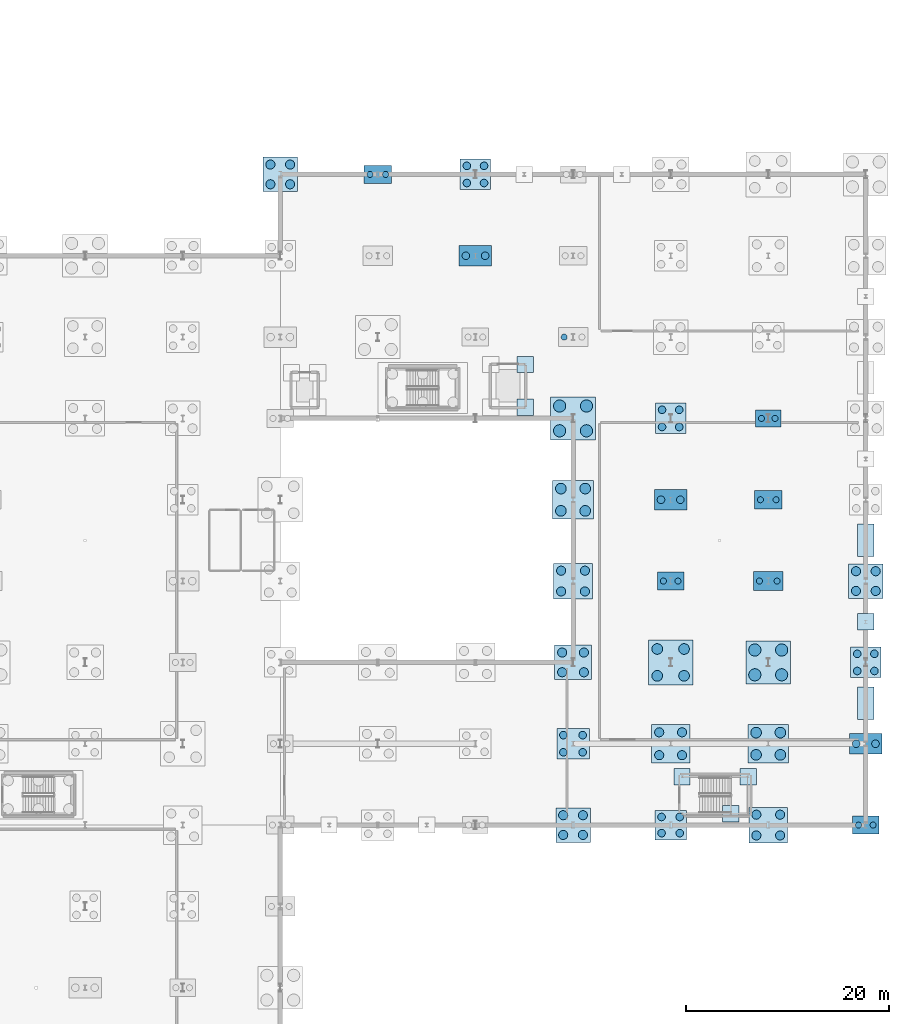
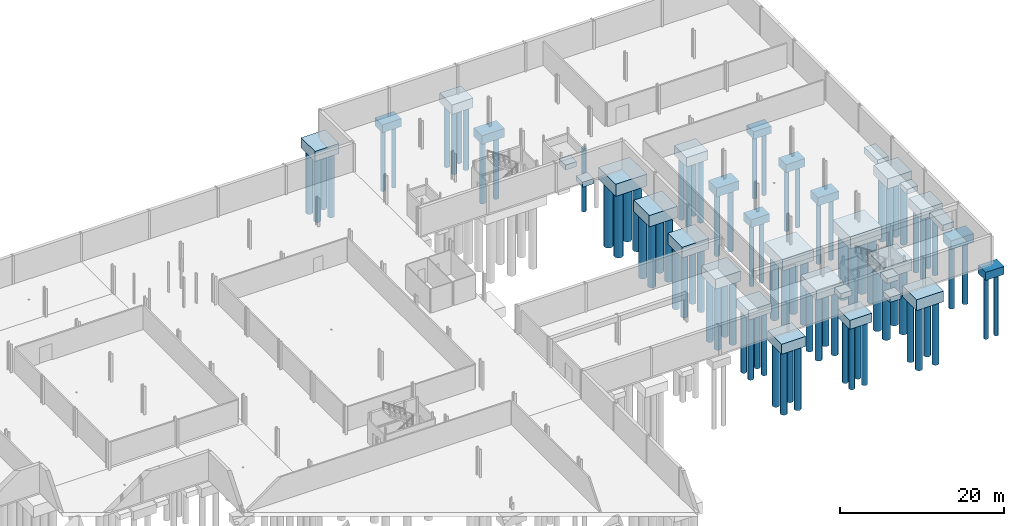
# One storey, part 6 of 47: 87 piles, 34 footings.
"""IFC4 building model written with IfcOpenShell, lengths in metres."""

from ifc_helpers import new_model, si_unit, direction, frame, origin, origin_2d, place, context, subcontext, project, spatial, rectangle, circle, extrude, material, material_profile, profile_set, type_object, element, save


model = new_model("IFC4")

# Units and contexts
model_context = context("Model", 3, precision=1e-05, world=origin(), true_north=direction((0.0, 1.0)))
body_context = subcontext(model_context, "Body", "Model", "MODEL_VIEW")
ifc_project = project(units=[si_unit("LENGTHUNIT", "METRE"), si_unit("AREAUNIT", "SQUARE_METRE"), si_unit("VOLUMEUNIT", "CUBIC_METRE"), si_unit("PLANEANGLEUNIT", "RADIAN"), si_unit("MASSUNIT", "GRAM", prefix="KILO")], contexts=[model_context])

# Site, building, storey
site_placement = place(None, origin())
site = spatial("IfcSite", under=ifc_project, at=site_placement, CompositionType="ELEMENT")
building_placement = place(site_placement, origin())
building = spatial("IfcBuilding", under=site, at=building_placement, Name="Alderhovde Museum", CompositionType="ELEMENT")
storey_placement = place(building_placement, frame((0.0, 0.0, -4.5)))
storey = spatial("IfcBuildingStorey", under=building, at=storey_placement, Name="B1", CompositionType="ELEMENT", Elevation=-4.5)

# Footings
ifc_material_1 = material(Name="Concrete C40/50", Category="concrete")
footing_type_1 = type_object("IfcFootingType", Name="PC-2500x1700x1100", PredefinedType="PILE_CAP", material=ifc_material_1)
footing_1_placement = place(storey_placement, frame((163.199951171875, 72.0, -1.5), z_axis=(0.0, 0.0, 1.0), x_axis=(1.0, 0.0, 0.0)))
element("IfcFooting", 1, at=footing_1_placement, inside=storey, type_object=footing_type_1, Name="Pile Cap at (163.2, 72.0)", PredefinedType="PILE_CAP", context=body_context, shape_type="SweptSolid", body=[
    extrude(rectangle(XDim=2.5, YDim=1.699951171875, at=origin_2d()), origin(), (0.0, 0.0, 1.0), 1.10009765625),
])
ifc_material_2 = material(Name="Concrete C40/50", Category="concrete")
footing_type_2 = type_object("IfcFootingType", Name="PC-2600x1800x1200", PredefinedType="PILE_CAP", material=ifc_material_2)
for number, where, z_axis, x_axis, name in (
    (2, (153.60009765625, 56.0, -1.60009765625), (0.0, 0.0, 1.0), (1.0, 0.0, 0.0), "Pile Cap at (153.6, 56.0)"),
    (3, (172.800048828125, 32.0, -1.60009765625), (0.0, 0.0, 1.0), (1.0, 0.0, 0.0), "Pile Cap at (172.8, 32.0)"),
):
    element("IfcFooting", number, at=place(storey_placement, frame(where, z_axis=z_axis, x_axis=x_axis)), inside=storey, type_object=footing_type_2, Name=name, PredefinedType="PILE_CAP", context=body_context, shape_type="SweptSolid", body=[
        extrude(rectangle(XDim=2.60009765625, YDim=1.800048828125, at=origin_2d()), origin(), (0.0, 0.0, 1.0), 1.199951171875),
    ])
ifc_material_3 = material(Name="Concrete C40/50", Category="concrete")
footing_type_3 = type_object("IfcFootingType", Name="PC-2700x1800x1200", PredefinedType="PILE_CAP", material=ifc_material_3)
for number, where, z_axis, x_axis, name in (
    (4, (124.800048828125, 96.0, -1.60009765625), (0.0, 0.0, 1.0), (1.0, 0.0, 0.0), "Pile Cap at (124.8, 96.0)"),
    (5, (163.199951171875, 64.0, -1.60009765625), (0.0, 0.0, 1.0), (1.0, 0.0, 0.0), "Pile Cap at (163.2, 64.0)"),
):
    element("IfcFooting", number, at=place(storey_placement, frame(where, z_axis=z_axis, x_axis=x_axis)), inside=storey, type_object=footing_type_3, Name=name, PredefinedType="PILE_CAP", context=body_context, shape_type="SweptSolid", body=[
        extrude(rectangle(XDim=2.699951171875, YDim=1.800048828125, at=origin_2d()), origin(), (0.0, 0.0, 1.0), 1.199951171875),
    ])
ifc_material_4 = material(Name="Concrete C40/50", Category="concrete")
footing_type_4 = type_object("IfcFootingType", Name="PC-2900x1900x1200", PredefinedType="PILE_CAP", material=ifc_material_4)
footing_2_placement = place(storey_placement, frame((163.199951171875, 56.0, -1.60009765625), z_axis=(0.0, 0.0, 1.0), x_axis=(1.0, 0.0, 0.0)))
element("IfcFooting", 6, at=footing_2_placement, inside=storey, type_object=footing_type_4, Name="Pile Cap at (163.2, 56.0)", PredefinedType="PILE_CAP", context=body_context, shape_type="SweptSolid", body=[
    extrude(rectangle(XDim=2.89990234375, YDim=1.89990234375, at=origin_2d()), origin(), (0.0, 0.0, 1.0), 1.199951171875),
])
ifc_material_5 = material(Name="Concrete C40/50", Category="concrete")
footing_type_5 = type_object("IfcFootingType", Name="PC-3000x3000x1400", PredefinedType="PILE_CAP", material=ifc_material_5)
for number, where, z_axis, x_axis, name in (
    (7, (134.39990234375, 96.0, -1.800048828125), (0.0, 0.0, 1.0), (1.0, 0.0, 0.0), "Pile Cap at (134.4, 96.0)"),
    (8, (153.60009765625, 72.0, -1.800048828125), (0.0, 0.0, 1.0), (1.0, 0.0, 0.0), "Pile Cap at (153.6, 72.0)"),
    (9, (172.800048828125, 48.0, -1.800048828125), (0.0, 0.0, 1.0), (1.0, 0.0, 0.0), "Pile Cap at (172.8, 48.0)"),
):
    element("IfcFooting", number, at=place(storey_placement, frame(where, z_axis=z_axis, x_axis=x_axis)), inside=storey, type_object=footing_type_5, Name=name, PredefinedType="PILE_CAP", context=body_context, shape_type="SweptSolid", body=[
        extrude(rectangle(XDim=3.0, YDim=3.0, at=origin_2d()), origin(), (0.0, 0.0, 1.0), 1.39990234375),
    ])
ifc_material_6 = material(Name="Concrete C40/50", Category="concrete")
footing_type_6 = type_object("IfcFootingType", Name="PC-3100x2900x1350", PredefinedType="PILE_CAP", material=ifc_material_6)
footing_3_placement = place(storey_placement, frame((153.60009765625, 32.0, -1.75), z_axis=(0.0, 0.0, 1.0), x_axis=(1.0, 0.0, 0.0)))
element("IfcFooting", 10, at=footing_3_placement, inside=storey, type_object=footing_type_6, Name="Pile Cap at (153.6, 32.0)", PredefinedType="PILE_CAP", context=body_context, shape_type="SweptSolid", body=[
    extrude(rectangle(XDim=3.10009765625, YDim=2.89990234375, at=origin_2d()), origin(), (0.0, 0.0, 1.0), 1.35009765625),
])
ifc_material_7 = material(Name="Concrete C40/50", Category="concrete")
footing_type_7 = type_object("IfcFootingType", Name="PC-3200x2000x1300", PredefinedType="PILE_CAP", material=ifc_material_7)
for number, where, z_axis, x_axis, name in (
    (11, (134.39990234375, 88.0, -1.7001953125), (0.0, 0.0, 1.0), (1.0, 0.0, 0.0), "Pile Cap at (134.4, 88.0)"),
    (12, (153.60009765625, 64.0, -1.7001953125), (0.0, 0.0, 1.0), (1.0, 0.0, 0.0), "Pile Cap at (153.6, 64.0)"),
    (13, (172.800048828125, 40.0, -1.7001953125), (0.0, 0.0, 1.0), (1.0, 0.0, 0.0), "Pile Cap at (172.8, 40.0)"),
):
    element("IfcFooting", number, at=place(storey_placement, frame(where, z_axis=z_axis, x_axis=x_axis)), inside=storey, type_object=footing_type_7, Name=name, PredefinedType="PILE_CAP", context=body_context, shape_type="SweptSolid", body=[
        extrude(rectangle(XDim=3.199951171875, YDim=2.0, at=origin_2d()), origin(), (0.0, 0.0, 1.0), 1.300048828125),
    ])
ifc_material_8 = material(Name="Concrete C40/50", Category="concrete")
footing_type_8 = type_object("IfcFootingType", Name="PC-3200x3000x1400", PredefinedType="PILE_CAP", material=ifc_material_8)
footing_4_placement = place(storey_placement, frame((144.0, 40.0, -1.800048828125), z_axis=(0.0, 0.0, 1.0), x_axis=(1.0, 0.0, 0.0)))
element("IfcFooting", 14, at=footing_4_placement, inside=storey, type_object=footing_type_8, Name="Pile Cap at (144.0, 40.0)", PredefinedType="PILE_CAP", context=body_context, shape_type="SweptSolid", body=[
    extrude(rectangle(XDim=3.199951171875, YDim=3.0, at=origin_2d()), origin(), (0.0, 0.0, 1.0), 1.39990234375),
])
ifc_material_9 = material(Name="Concrete C40/50", Category="concrete")
footing_type_9 = type_object("IfcFootingType", Name="PC-3400x3400x1500", PredefinedType="PILE_CAP", material=ifc_material_9)
for number, where, z_axis, x_axis, name in (
    (15, (115.199951171875, 96.0, -1.89990234375), (0.0, 0.0, 1.0), (1.0, 0.0, 0.0), "Pile Cap at (115.2, 96.0)"),
    (16, (144.0, 32.0, -1.89990234375), (0.0, 0.0, 1.0), (1.0, 0.0, 0.0), "Pile Cap at (144.0, 32.0)"),
    (17, (172.800048828125, 56.0, -1.89990234375), (0.0, 0.0, 1.0), (1.0, 0.0, 0.0), "Pile Cap at (172.8, 56.0)"),
):
    element("IfcFooting", number, at=place(storey_placement, frame(where, z_axis=z_axis, x_axis=x_axis)), inside=storey, type_object=footing_type_9, Name=name, PredefinedType="PILE_CAP", context=body_context, shape_type="SweptSolid", body=[
        extrude(rectangle(XDim=3.39990234375, YDim=3.39990234375, at=origin_2d()), origin(), (0.0, 0.0, 1.0), 1.5),
    ])
ifc_material_10 = material(Name="Concrete C40/50", Category="concrete")
footing_type_10 = type_object("IfcFootingType", Name="PC-3600x3400x1500", PredefinedType="PILE_CAP", material=ifc_material_10)
footing_5_placement = place(storey_placement, frame((144.0, 48.0, -1.89990234375), z_axis=(0.0, 0.0, 1.0), x_axis=(1.0, 0.0, 0.0)))
element("IfcFooting", 18, at=footing_5_placement, inside=storey, type_object=footing_type_10, Name="Pile Cap at (144.0, 48.0)", PredefinedType="PILE_CAP", context=body_context, shape_type="SweptSolid", body=[
    extrude(rectangle(XDim=3.60009765625, YDim=3.39990234375, at=origin_2d()), origin(), (0.0, 0.0, 1.0), 1.5),
])
ifc_material_11 = material(Name="Concrete C40/50", Category="concrete")
footing_type_11 = type_object("IfcFootingType", Name="PC-3800x3500x1600", PredefinedType="PILE_CAP", material=ifc_material_11)
for number, where, z_axis, x_axis, name in (
    (19, (144.0, 56.0, -2.0), (0.0, 0.0, 1.0), (1.0, 0.0, 0.0), "Pile Cap at (144.0, 56.0)"),
    (20, (163.199951171875, 32.0, -2.0), (0.0, 0.0, 1.0), (1.0, 0.0, 0.0), "Pile Cap at (163.2, 32.0)"),
):
    element("IfcFooting", number, at=place(storey_placement, frame(where, z_axis=z_axis, x_axis=x_axis)), inside=storey, type_object=footing_type_11, Name=name, PredefinedType="PILE_CAP", context=body_context, shape_type="SweptSolid", body=[
        extrude(rectangle(XDim=3.800048828125, YDim=3.5, at=origin_2d()), origin(), (0.0, 0.0, 1.0), 1.60009765625),
    ])
ifc_material_12 = material(Name="Concrete C40/50", Category="concrete")
footing_type_12 = type_object("IfcFootingType", Name="PC-3800x3800x1450", PredefinedType="PILE_CAP", material=ifc_material_12)
footing_6_placement = place(storey_placement, frame((153.60009765625, 40.0, -1.85009765625), z_axis=(0.0, 0.0, 1.0), x_axis=(1.0, 0.0, 0.0)))
element("IfcFooting", 21, at=footing_6_placement, inside=storey, type_object=footing_type_12, Name="Pile Cap at (153.6, 40.0)", PredefinedType="PILE_CAP", context=body_context, shape_type="SweptSolid", body=[
    extrude(rectangle(XDim=3.800048828125, YDim=3.800048828125, at=origin_2d()), origin(), (0.0, 0.0, 1.0), 1.449951171875),
])
ifc_material_13 = material(Name="Concrete C40/50", Category="concrete")
footing_type_13 = type_object("IfcFootingType", Name="PC-4000x3800x1700", PredefinedType="PILE_CAP", material=ifc_material_13)
for number, where, z_axis, x_axis, name in (
    (22, (144.0, 64.0, -2.10009765625), (0.0, 0.0, 1.0), (1.0, 0.0, 0.0), "Pile Cap at (144.0, 64.0)"),
    (23, (163.199951171875, 40.0, -2.10009765625), (0.0, 0.0, 1.0), (1.0, 0.0, 0.0), "Pile Cap at (163.2, 40.0)"),
):
    element("IfcFooting", number, at=place(storey_placement, frame(where, z_axis=z_axis, x_axis=x_axis)), inside=storey, type_object=footing_type_13, Name=name, PredefinedType="PILE_CAP", context=body_context, shape_type="SweptSolid", body=[
        extrude(rectangle(XDim=4.0, YDim=3.800048828125, at=origin_2d()), origin(), (0.0, 0.0, 1.0), 1.699951171875),
    ])
ifc_material_14 = material(Name="Concrete C40/50", Category="concrete")
footing_type_14 = type_object("IfcFootingType", Name="PC-4400x4200x1800", PredefinedType="PILE_CAP", material=ifc_material_14)
for number, where, z_axis, x_axis, name in (
    (24, (144.0, 72.0, -2.2001953125), (0.0, 0.0, 1.0), (1.0, 0.0, 0.0), "Pile Cap at (144.0, 72.0)"),
    (25, (163.199951171875, 48.0, -2.2001953125), (0.0, 0.0, 1.0), (1.0, 0.0, 0.0), "Pile Cap at (163.2, 48.0)"),
):
    element("IfcFooting", number, at=place(storey_placement, frame(where, z_axis=z_axis, x_axis=x_axis)), inside=storey, type_object=footing_type_14, Name=name, PredefinedType="PILE_CAP", context=body_context, shape_type="SweptSolid", body=[
        extrude(rectangle(XDim=4.39990234375, YDim=4.199951171875, at=origin_2d()), origin(), (0.0, 0.0, 1.0), 1.800048828125),
    ])
ifc_material_15 = material(Name="Concrete C40/50", Category="concrete")
footing_type_15 = type_object("IfcFootingType", Name="PC-4400x4400x1650", PredefinedType="PILE_CAP", material=ifc_material_15)
footing_7_placement = place(storey_placement, frame((153.60009765625, 48.0, -2.050048828125), z_axis=(0.0, 0.0, 1.0), x_axis=(1.0, 0.0, 0.0)))
element("IfcFooting", 26, at=footing_7_placement, inside=storey, type_object=footing_type_15, Name="Pile Cap at (153.6, 48.0)", PredefinedType="PILE_CAP", context=body_context, shape_type="SweptSolid", body=[
    extrude(rectangle(XDim=4.39990234375, YDim=4.39990234375, at=origin_2d()), origin(), (0.0, 0.0, 1.0), 1.64990234375),
])
ifc_material_16 = material(Name="Concrete C40/50", Category="concrete")
footing_type_16 = type_object("IfcFootingType", Name="PF-1600x1600x750", PredefinedType="PAD_FOOTING", material=ifc_material_16)
for number, where, z_axis, x_axis, name in (
    (27, (172.800048828125, 52.0, -1.14990234375), (0.0, 0.0, 1.0), (1.0, 0.0, 0.0), "Pilaster Pad Footing (172.8, 52.0)"),
    (28, (161.239990234375, 36.760009765625, -1.14990234375), (0.0, 0.0, 1.0), (1.0, 0.0, 0.0), "Stair ST7 Shaft Footing 3"),
    (29, (154.719970703125, 36.760009765625, -1.14990234375), (0.0, 0.0, 1.0), (1.0, 0.0, 0.0), "Stair ST7 Shaft Footing 4"),
    (30, (159.52001953125, 33.1201171875, -1.14990234375), (0.0, 0.0, 1.0), (1.0, 0.0, 0.0), "Stair ST7 Shaft Footing 5"),
    (31, (139.300048828125, 73.10009765625, -1.14990234375), (0.0, 0.0, 1.0), (1.0, 0.0, 0.0), "Lift GL-01 Shaft Post Footing 2"),
    (32, (139.300048828125, 77.300048828125, -1.14990234375), (0.0, 0.0, 1.0), (1.0, 0.0, 0.0), "Lift GL-01 Shaft Post Footing 3"),
):
    element("IfcFooting", number, at=place(storey_placement, frame(where, z_axis=z_axis, x_axis=x_axis)), inside=storey, type_object=footing_type_16, Name=name, PredefinedType="PAD_FOOTING", context=body_context, shape_type="SweptSolid", body=[
        extrude(rectangle(XDim=1.60009765625, YDim=1.60009765625, at=origin_2d()), origin(), (0.0, 0.0, 1.0), 0.75),
    ])

# Piles
ifc_material_17 = material(Name="Concrete C40/50", Category="concrete")
ifc_material_profile_1 = material_profile(ifc_material_17, circle(Radius=0.52490234375, at=origin_2d()), Name="PILE-D1050")
ifc_profile_set_1 = profile_set([ifc_material_profile_1], Name="Concrete C40/50")
pile_type_1 = type_object("IfcPileType", Name="PIL-D1050", PredefinedType="BORED", material=ifc_profile_set_1)
for number, where, z_axis, x_axis, name in (
    (33, (142.804931640625, 62.905029296875, -2.0), (0.0, 0.0, -1.0), (1.0, 0.0, 0.0), "Bored Pile PC-1440-0640-P1"),
    (34, (145.195068359375, 62.905029296875, -2.0), (0.0, 0.0, -1.0), (1.0, 0.0, 0.0), "Bored Pile PC-1440-0640-P2"),
    (35, (142.804931640625, 65.094970703125, -2.0), (0.0, 0.0, -1.0), (1.0, 0.0, 0.0), "Bored Pile PC-1440-0640-P3"),
    (36, (145.195068359375, 65.094970703125, -2.0), (0.0, 0.0, -1.0), (1.0, 0.0, 0.0), "Bored Pile PC-1440-0640-P4"),
):
    element("IfcPile", number, at=place(storey_placement, frame(where, z_axis=z_axis, x_axis=x_axis)), inside=storey, type_object=pile_type_1, Name=name, PredefinedType="BORED", context=body_context, shape_type="SweptSolid", body=[
        extrude(circle(Radius=0.52490234375, at=origin_2d()), origin(), (0.0, 0.0, 1.0), 9.574951171875),
    ])
for number, where, z_axis, x_axis, name in (
    (37, (152.280029296875, 46.679931640625, -1.949951171875), (0.0, 0.0, -1.0), (1.0, 0.0, 0.0), "Bored Pile PC-1536-0480-P1"),
    (38, (154.919921875, 46.679931640625, -1.949951171875), (0.0, 0.0, -1.0), (1.0, 0.0, 0.0), "Bored Pile PC-1536-0480-P2"),
    (39, (152.280029296875, 49.320068359375, -1.949951171875), (0.0, 0.0, -1.0), (1.0, 0.0, 0.0), "Bored Pile PC-1536-0480-P3"),
    (40, (154.919921875, 49.320068359375, -1.949951171875), (0.0, 0.0, -1.0), (1.0, 0.0, 0.0), "Bored Pile PC-1536-0480-P4"),
):
    element("IfcPile", number, at=place(storey_placement, frame(where, z_axis=z_axis, x_axis=x_axis)), inside=storey, type_object=pile_type_1, Name=name, PredefinedType="BORED", context=body_context, shape_type="SweptSolid", body=[
        extrude(circle(Radius=0.52490234375, at=origin_2d()), origin(), (0.0, 0.0, 1.0), 9.625),
    ])
for number, where, z_axis, x_axis, name in (
    (41, (162.0048828125, 38.905029296875, -2.0), (0.0, 0.0, -1.0), (1.0, 0.0, 0.0), "Bored Pile PC-1632-0400-P1"),
    (42, (164.39501953125, 38.905029296875, -2.0), (0.0, 0.0, -1.0), (1.0, 0.0, 0.0), "Bored Pile PC-1632-0400-P2"),
    (43, (162.0048828125, 41.094970703125, -2.0), (0.0, 0.0, -1.0), (1.0, 0.0, 0.0), "Bored Pile PC-1632-0400-P3"),
    (44, (164.39501953125, 41.094970703125, -2.0), (0.0, 0.0, -1.0), (1.0, 0.0, 0.0), "Bored Pile PC-1632-0400-P4"),
):
    element("IfcPile", number, at=place(storey_placement, frame(where, z_axis=z_axis, x_axis=x_axis)), inside=storey, type_object=pile_type_1, Name=name, PredefinedType="BORED", context=body_context, shape_type="SweptSolid", body=[
        extrude(circle(Radius=0.52490234375, at=origin_2d()), origin(), (0.0, 0.0, 1.0), 9.574951171875),
    ])
ifc_material_18 = material(Name="Concrete C40/50", Category="concrete")
ifc_material_profile_2 = material_profile(ifc_material_18, circle(Radius=0.60009765625, at=origin_2d()), Name="PILE-D1200")
ifc_profile_set_2 = profile_set([ifc_material_profile_2], Name="Concrete C40/50")
pile_type_2 = type_object("IfcPileType", Name="PIL-D1200", PredefinedType="BORED", material=ifc_profile_set_2)
for number, where, z_axis, x_axis, name in (
    (45, (142.679931640625, 70.780029296875, -2.10009765625), (0.0, 0.0, -1.0), (1.0, 0.0, 0.0), "Bored Pile PC-1440-0720-P1"),
    (46, (145.320068359375, 70.780029296875, -2.10009765625), (0.0, 0.0, -1.0), (1.0, 0.0, 0.0), "Bored Pile PC-1440-0720-P2"),
    (47, (142.679931640625, 73.219970703125, -2.10009765625), (0.0, 0.0, -1.0), (1.0, 0.0, 0.0), "Bored Pile PC-1440-0720-P3"),
    (48, (145.320068359375, 73.219970703125, -2.10009765625), (0.0, 0.0, -1.0), (1.0, 0.0, 0.0), "Bored Pile PC-1440-0720-P4"),
    (49, (161.8798828125, 46.780029296875, -2.10009765625), (0.0, 0.0, -1.0), (1.0, 0.0, 0.0), "Bored Pile PC-1632-0480-P1"),
    (50, (164.52001953125, 46.780029296875, -2.10009765625), (0.0, 0.0, -1.0), (1.0, 0.0, 0.0), "Bored Pile PC-1632-0480-P2"),
    (51, (161.8798828125, 49.219970703125, -2.10009765625), (0.0, 0.0, -1.0), (1.0, 0.0, 0.0), "Bored Pile PC-1632-0480-P3"),
    (52, (164.52001953125, 49.219970703125, -2.10009765625), (0.0, 0.0, -1.0), (1.0, 0.0, 0.0), "Bored Pile PC-1632-0480-P4"),
):
    element("IfcPile", number, at=place(storey_placement, frame(where, z_axis=z_axis, x_axis=x_axis)), inside=storey, type_object=pile_type_2, Name=name, PredefinedType="BORED", context=body_context, shape_type="SweptSolid", body=[
        extrude(circle(Radius=0.60009765625, at=origin_2d()), origin(), (0.0, 0.0, 1.0), 9.699951171875),
    ])
ifc_material_19 = material(Name="Concrete C40/50", Category="concrete")
ifc_material_profile_3 = material_profile(ifc_material_19, circle(Radius=0.300048828125, at=origin_2d()), Name="PILE-D600")
ifc_profile_set_3 = profile_set([ifc_material_profile_3], Name="Concrete C40/50")
pile_type_3 = type_object("IfcPileType", Name="PIL-D600", PredefinedType="BORED", material=ifc_profile_set_3)
for number, where, z_axis, x_axis, name in (
    (53, (124.030029296875, 96.0, -1.5), (0.0, 0.0, -1.0), (1.0, 0.0, 0.0), "Bored Pile PC-1248-0960-P1"),
    (54, (125.570068359375, 96.0, -1.5), (0.0, 0.0, -1.0), (1.0, 0.0, 0.0), "Bored Pile PC-1248-0960-P2"),
    (55, (143.1298828125, 80.0, -1.5), (0.0, 0.0, -1.0), (1.0, 0.0, 0.0), "Bored Pile PC-1440-0800-P1"),
    (56, (152.8798828125, 56.0, -1.5), (0.0, 0.0, -1.0), (1.0, 0.0, 0.0), "Bored Pile PC-1536-0560-P1"),
    (57, (154.320068359375, 56.0, -1.5), (0.0, 0.0, -1.0), (1.0, 0.0, 0.0), "Bored Pile PC-1536-0560-P2"),
    (58, (162.330078125, 56.0, -1.5), (0.0, 0.0, -1.0), (1.0, 0.0, 0.0), "Bored Pile PC-1632-0560-P1"),
    (59, (164.070068359375, 56.0, -1.5), (0.0, 0.0, -1.0), (1.0, 0.0, 0.0), "Bored Pile PC-1632-0560-P2"),
    (60, (162.429931640625, 64.0, -1.5), (0.0, 0.0, -1.0), (1.0, 0.0, 0.0), "Bored Pile PC-1632-0640-P1"),
    (61, (163.969970703125, 64.0, -1.5), (0.0, 0.0, -1.0), (1.0, 0.0, 0.0), "Bored Pile PC-1632-0640-P2"),
):
    element("IfcPile", number, at=place(storey_placement, frame(where, z_axis=z_axis, x_axis=x_axis)), inside=storey, type_object=pile_type_3, Name=name, PredefinedType="BORED", context=body_context, shape_type="SweptSolid", body=[
        extrude(circle(Radius=0.300048828125, at=origin_2d()), origin(), (0.0, 0.0, 1.0), 9.39990234375),
    ])
for number, where, z_axis, x_axis, name in (
    (62, (162.530029296875, 72.0, -1.39990234375), (0.0, 0.0, -1.0), (1.0, 0.0, 0.0), "Bored Pile PC-1632-0720-P1"),
    (63, (163.8701171875, 72.0, -1.39990234375), (0.0, 0.0, -1.0), (1.0, 0.0, 0.0), "Bored Pile PC-1632-0720-P2"),
):
    element("IfcPile", number, at=place(storey_placement, frame(where, z_axis=z_axis, x_axis=x_axis)), inside=storey, type_object=pile_type_3, Name=name, PredefinedType="BORED", context=body_context, shape_type="SweptSolid", body=[
        extrude(circle(Radius=0.300048828125, at=origin_2d()), origin(), (0.0, 0.0, 1.0), 9.5),
    ])
for number, where, z_axis, x_axis, name in (
    (64, (172.080078125, 32.0, -1.5), (0.0, 0.0, -1.0), (1.0, 0.0, 0.0), "Bored Pile PC-1728-0320-P1"),
    (65, (173.52001953125, 32.0, -1.5), (0.0, 0.0, -1.0), (1.0, 0.0, 0.0), "Bored Pile PC-1728-0320-P2"),
):
    element("IfcPile", number, at=place(storey_placement, frame(where, z_axis=z_axis, x_axis=x_axis)), inside=storey, type_object=pile_type_3, Name=name, PredefinedType="BORED", context=body_context, shape_type="SweptSolid", body=[
        extrude(circle(Radius=0.300048828125, at=origin_2d()), origin(), (0.0, 0.0, 1.0), 9.39990234375),
    ])
ifc_material_20 = material(Name="Concrete C40/50", Category="concrete")
ifc_material_profile_4 = material_profile(ifc_material_20, circle(Radius=0.375, at=origin_2d()), Name="PILE-D750")
ifc_profile_set_4 = profile_set([ifc_material_profile_4], Name="Concrete C40/50")
pile_type_4 = type_object("IfcPileType", Name="PIL-D750", PredefinedType="BORED", material=ifc_profile_set_4)
for number, where, z_axis, x_axis, name in (
    (66, (133.449951171875, 88.0, -1.60009765625), (0.0, 0.0, -1.0), (1.0, 0.0, 0.0), "Bored Pile PC-1344-0880-P1"),
    (67, (135.35009765625, 88.0, -1.60009765625), (0.0, 0.0, -1.0), (1.0, 0.0, 0.0), "Bored Pile PC-1344-0880-P2"),
):
    element("IfcPile", number, at=place(storey_placement, frame(where, z_axis=z_axis, x_axis=x_axis)), inside=storey, type_object=pile_type_4, Name=name, PredefinedType="BORED", context=body_context, shape_type="SweptSolid", body=[
        extrude(circle(Radius=0.375, at=origin_2d()), origin(), (0.0, 0.0, 1.0), 9.52490234375),
    ])
for number, where, z_axis, x_axis, name in (
    (68, (133.554931640625, 95.155029296875, -1.699951171875), (0.0, 0.0, -1.0), (1.0, 0.0, 0.0), "Bored Pile PC-1344-0960-P1"),
    (69, (135.2451171875, 95.155029296875, -1.699951171875), (0.0, 0.0, -1.0), (1.0, 0.0, 0.0), "Bored Pile PC-1344-0960-P2"),
    (70, (133.554931640625, 96.844970703125, -1.699951171875), (0.0, 0.0, -1.0), (1.0, 0.0, 0.0), "Bored Pile PC-1344-0960-P3"),
    (71, (135.2451171875, 96.844970703125, -1.699951171875), (0.0, 0.0, -1.0), (1.0, 0.0, 0.0), "Bored Pile PC-1344-0960-P4"),
    (72, (143.054931640625, 39.155029296875, -1.699951171875), (0.0, 0.0, -1.0), (1.0, 0.0, 0.0), "Bored Pile PC-1440-0400-P1"),
    (73, (144.945068359375, 39.155029296875, -1.699951171875), (0.0, 0.0, -1.0), (1.0, 0.0, 0.0), "Bored Pile PC-1440-0400-P2"),
    (74, (143.054931640625, 40.844970703125, -1.699951171875), (0.0, 0.0, -1.0), (1.0, 0.0, 0.0), "Bored Pile PC-1440-0400-P3"),
    (75, (144.945068359375, 40.844970703125, -1.699951171875), (0.0, 0.0, -1.0), (1.0, 0.0, 0.0), "Bored Pile PC-1440-0400-P4"),
):
    element("IfcPile", number, at=place(storey_placement, frame(where, z_axis=z_axis, x_axis=x_axis)), inside=storey, type_object=pile_type_4, Name=name, PredefinedType="BORED", context=body_context, shape_type="SweptSolid", body=[
        extrude(circle(Radius=0.375, at=origin_2d()), origin(), (0.0, 0.0, 1.0), 9.425048828125),
    ])
for number, where, z_axis, x_axis, name in (
    (76, (152.705078125, 31.205078125, -1.64990234375), (0.0, 0.0, -1.0), (1.0, 0.0, 0.0), "Bored Pile PC-1536-0320-P1"),
    (77, (154.4951171875, 31.205078125, -1.64990234375), (0.0, 0.0, -1.0), (1.0, 0.0, 0.0), "Bored Pile PC-1536-0320-P2"),
    (78, (152.705078125, 32.794921875, -1.64990234375), (0.0, 0.0, -1.0), (1.0, 0.0, 0.0), "Bored Pile PC-1536-0320-P3"),
    (79, (154.4951171875, 32.794921875, -1.64990234375), (0.0, 0.0, -1.0), (1.0, 0.0, 0.0), "Bored Pile PC-1536-0320-P4"),
):
    element("IfcPile", number, at=place(storey_placement, frame(where, z_axis=z_axis, x_axis=x_axis)), inside=storey, type_object=pile_type_4, Name=name, PredefinedType="BORED", context=body_context, shape_type="SweptSolid", body=[
        extrude(circle(Radius=0.375, at=origin_2d()), origin(), (0.0, 0.0, 1.0), 9.47509765625),
    ])
for number, where, z_axis, x_axis, name in (
    (80, (152.64990234375, 64.0, -1.60009765625), (0.0, 0.0, -1.0), (1.0, 0.0, 0.0), "Bored Pile PC-1536-0640-P1"),
    (81, (154.550048828125, 64.0, -1.60009765625), (0.0, 0.0, -1.0), (1.0, 0.0, 0.0), "Bored Pile PC-1536-0640-P2"),
):
    element("IfcPile", number, at=place(storey_placement, frame(where, z_axis=z_axis, x_axis=x_axis)), inside=storey, type_object=pile_type_4, Name=name, PredefinedType="BORED", context=body_context, shape_type="SweptSolid", body=[
        extrude(circle(Radius=0.375, at=origin_2d()), origin(), (0.0, 0.0, 1.0), 9.52490234375),
    ])
for number, where, z_axis, x_axis, name in (
    (82, (152.7548828125, 71.155029296875, -1.699951171875), (0.0, 0.0, -1.0), (1.0, 0.0, 0.0), "Bored Pile PC-1536-0720-P1"),
    (83, (154.445068359375, 71.155029296875, -1.699951171875), (0.0, 0.0, -1.0), (1.0, 0.0, 0.0), "Bored Pile PC-1536-0720-P2"),
    (84, (152.7548828125, 72.844970703125, -1.699951171875), (0.0, 0.0, -1.0), (1.0, 0.0, 0.0), "Bored Pile PC-1536-0720-P3"),
    (85, (154.445068359375, 72.844970703125, -1.699951171875), (0.0, 0.0, -1.0), (1.0, 0.0, 0.0), "Bored Pile PC-1536-0720-P4"),
):
    element("IfcPile", number, at=place(storey_placement, frame(where, z_axis=z_axis, x_axis=x_axis)), inside=storey, type_object=pile_type_4, Name=name, PredefinedType="BORED", context=body_context, shape_type="SweptSolid", body=[
        extrude(circle(Radius=0.375, at=origin_2d()), origin(), (0.0, 0.0, 1.0), 9.425048828125),
    ])
for number, where, z_axis, x_axis, name in (
    (86, (171.85009765625, 40.0, -1.60009765625), (0.0, 0.0, -1.0), (1.0, 0.0, 0.0), "Bored Pile PC-1728-0400-P1"),
    (87, (173.75, 40.0, -1.60009765625), (0.0, 0.0, -1.0), (1.0, 0.0, 0.0), "Bored Pile PC-1728-0400-P2"),
):
    element("IfcPile", number, at=place(storey_placement, frame(where, z_axis=z_axis, x_axis=x_axis)), inside=storey, type_object=pile_type_4, Name=name, PredefinedType="BORED", context=body_context, shape_type="SweptSolid", body=[
        extrude(circle(Radius=0.375, at=origin_2d()), origin(), (0.0, 0.0, 1.0), 9.52490234375),
    ])
for number, where, z_axis, x_axis, name in (
    (88, (171.955078125, 47.155029296875, -1.699951171875), (0.0, 0.0, -1.0), (1.0, 0.0, 0.0), "Bored Pile PC-1728-0480-P1"),
    (89, (173.64501953125, 47.155029296875, -1.699951171875), (0.0, 0.0, -1.0), (1.0, 0.0, 0.0), "Bored Pile PC-1728-0480-P2"),
    (90, (171.955078125, 48.844970703125, -1.699951171875), (0.0, 0.0, -1.0), (1.0, 0.0, 0.0), "Bored Pile PC-1728-0480-P3"),
    (91, (173.64501953125, 48.844970703125, -1.699951171875), (0.0, 0.0, -1.0), (1.0, 0.0, 0.0), "Bored Pile PC-1728-0480-P4"),
):
    element("IfcPile", number, at=place(storey_placement, frame(where, z_axis=z_axis, x_axis=x_axis)), inside=storey, type_object=pile_type_4, Name=name, PredefinedType="BORED", context=body_context, shape_type="SweptSolid", body=[
        extrude(circle(Radius=0.375, at=origin_2d()), origin(), (0.0, 0.0, 1.0), 9.425048828125),
    ])
ifc_material_21 = material(Name="Concrete C40/50", Category="concrete")
ifc_material_profile_5 = material_profile(ifc_material_21, circle(Radius=0.449951171875, at=origin_2d()), Name="PILE-D900")
ifc_profile_set_5 = profile_set([ifc_material_profile_5], Name="Concrete C40/50")
pile_type_5 = type_object("IfcPileType", Name="PIL-D900", PredefinedType="BORED", material=ifc_profile_set_5)
for number, where, z_axis, x_axis, name in (
    (92, (114.22998046875, 95.030029296875, -1.800048828125), (0.0, 0.0, -1.0), (1.0, 0.0, 0.0), "Bored Pile PC-1152-0960-P1"),
    (93, (116.169921875, 95.030029296875, -1.800048828125), (0.0, 0.0, -1.0), (1.0, 0.0, 0.0), "Bored Pile PC-1152-0960-P2"),
    (94, (114.22998046875, 96.969970703125, -1.800048828125), (0.0, 0.0, -1.0), (1.0, 0.0, 0.0), "Bored Pile PC-1152-0960-P3"),
    (95, (116.169921875, 96.969970703125, -1.800048828125), (0.0, 0.0, -1.0), (1.0, 0.0, 0.0), "Bored Pile PC-1152-0960-P4"),
    (96, (143.030029296875, 31.030029296875, -1.800048828125), (0.0, 0.0, -1.0), (1.0, 0.0, 0.0), "Bored Pile PC-1440-0320-P1"),
    (97, (144.969970703125, 31.030029296875, -1.800048828125), (0.0, 0.0, -1.0), (1.0, 0.0, 0.0), "Bored Pile PC-1440-0320-P2"),
    (98, (143.030029296875, 32.969970703125, -1.800048828125), (0.0, 0.0, -1.0), (1.0, 0.0, 0.0), "Bored Pile PC-1440-0320-P3"),
    (99, (144.969970703125, 32.969970703125, -1.800048828125), (0.0, 0.0, -1.0), (1.0, 0.0, 0.0), "Bored Pile PC-1440-0320-P4"),
    (100, (142.929931640625, 47.030029296875, -1.800048828125), (0.0, 0.0, -1.0), (1.0, 0.0, 0.0), "Bored Pile PC-1440-0480-P1"),
    (101, (145.070068359375, 47.030029296875, -1.800048828125), (0.0, 0.0, -1.0), (1.0, 0.0, 0.0), "Bored Pile PC-1440-0480-P2"),
    (102, (142.929931640625, 48.969970703125, -1.800048828125), (0.0, 0.0, -1.0), (1.0, 0.0, 0.0), "Bored Pile PC-1440-0480-P3"),
    (103, (145.070068359375, 48.969970703125, -1.800048828125), (0.0, 0.0, -1.0), (1.0, 0.0, 0.0), "Bored Pile PC-1440-0480-P4"),
):
    element("IfcPile", number, at=place(storey_placement, frame(where, z_axis=z_axis, x_axis=x_axis)), inside=storey, type_object=pile_type_5, Name=name, PredefinedType="BORED", context=body_context, shape_type="SweptSolid", body=[
        extrude(circle(Radius=0.449951171875, at=origin_2d()), origin(), (0.0, 0.0, 1.0), 9.550048828125),
    ])
for number, where, z_axis, x_axis, name in (
    (104, (142.830078125, 54.97998046875, -1.89990234375), (0.0, 0.0, -1.0), (1.0, 0.0, 0.0), "Bored Pile PC-1440-0560-P1"),
    (105, (145.169921875, 54.97998046875, -1.89990234375), (0.0, 0.0, -1.0), (1.0, 0.0, 0.0), "Bored Pile PC-1440-0560-P2"),
    (106, (142.830078125, 57.02001953125, -1.89990234375), (0.0, 0.0, -1.0), (1.0, 0.0, 0.0), "Bored Pile PC-1440-0560-P3"),
    (107, (145.169921875, 57.02001953125, -1.89990234375), (0.0, 0.0, -1.0), (1.0, 0.0, 0.0), "Bored Pile PC-1440-0560-P4"),
):
    element("IfcPile", number, at=place(storey_placement, frame(where, z_axis=z_axis, x_axis=x_axis)), inside=storey, type_object=pile_type_5, Name=name, PredefinedType="BORED", context=body_context, shape_type="SweptSolid", body=[
        extrude(circle(Radius=0.449951171875, at=origin_2d()), origin(), (0.0, 0.0, 1.0), 9.449951171875),
    ])
for number, where, z_axis, x_axis, name in (
    (108, (152.47509765625, 38.875, -1.75), (0.0, 0.0, -1.0), (1.0, 0.0, 0.0), "Bored Pile PC-1536-0400-P1"),
    (109, (154.72509765625, 38.875, -1.75), (0.0, 0.0, -1.0), (1.0, 0.0, 0.0), "Bored Pile PC-1536-0400-P2"),
    (110, (152.47509765625, 41.125, -1.75), (0.0, 0.0, -1.0), (1.0, 0.0, 0.0), "Bored Pile PC-1536-0400-P3"),
    (111, (154.72509765625, 41.125, -1.75), (0.0, 0.0, -1.0), (1.0, 0.0, 0.0), "Bored Pile PC-1536-0400-P4"),
):
    element("IfcPile", number, at=place(storey_placement, frame(where, z_axis=z_axis, x_axis=x_axis)), inside=storey, type_object=pile_type_5, Name=name, PredefinedType="BORED", context=body_context, shape_type="SweptSolid", body=[
        extrude(circle(Radius=0.449951171875, at=origin_2d()), origin(), (0.0, 0.0, 1.0), 9.60009765625),
    ])
for number, where, z_axis, x_axis, name in (
    (112, (162.030029296875, 30.97998046875, -1.89990234375), (0.0, 0.0, -1.0), (1.0, 0.0, 0.0), "Bored Pile PC-1632-0320-P1"),
    (113, (164.3701171875, 30.97998046875, -1.89990234375), (0.0, 0.0, -1.0), (1.0, 0.0, 0.0), "Bored Pile PC-1632-0320-P2"),
    (114, (162.030029296875, 33.02001953125, -1.89990234375), (0.0, 0.0, -1.0), (1.0, 0.0, 0.0), "Bored Pile PC-1632-0320-P3"),
    (115, (164.3701171875, 33.02001953125, -1.89990234375), (0.0, 0.0, -1.0), (1.0, 0.0, 0.0), "Bored Pile PC-1632-0320-P4"),
):
    element("IfcPile", number, at=place(storey_placement, frame(where, z_axis=z_axis, x_axis=x_axis)), inside=storey, type_object=pile_type_5, Name=name, PredefinedType="BORED", context=body_context, shape_type="SweptSolid", body=[
        extrude(circle(Radius=0.449951171875, at=origin_2d()), origin(), (0.0, 0.0, 1.0), 9.449951171875),
    ])
for number, where, z_axis, x_axis, name in (
    (116, (171.830078125, 55.030029296875, -1.800048828125), (0.0, 0.0, -1.0), (1.0, 0.0, 0.0), "Bored Pile PC-1728-0560-P1"),
    (117, (173.77001953125, 55.030029296875, -1.800048828125), (0.0, 0.0, -1.0), (1.0, 0.0, 0.0), "Bored Pile PC-1728-0560-P2"),
    (118, (171.830078125, 56.969970703125, -1.800048828125), (0.0, 0.0, -1.0), (1.0, 0.0, 0.0), "Bored Pile PC-1728-0560-P3"),
    (119, (173.77001953125, 56.969970703125, -1.800048828125), (0.0, 0.0, -1.0), (1.0, 0.0, 0.0), "Bored Pile PC-1728-0560-P4"),
):
    element("IfcPile", number, at=place(storey_placement, frame(where, z_axis=z_axis, x_axis=x_axis)), inside=storey, type_object=pile_type_5, Name=name, PredefinedType="BORED", context=body_context, shape_type="SweptSolid", body=[
        extrude(circle(Radius=0.449951171875, at=origin_2d()), origin(), (0.0, 0.0, 1.0), 9.550048828125),
    ])

# Footings
ifc_material_22 = material(Name="Concrete C40/50", Category="concrete")
footing_type_17 = type_object("IfcFootingType", Name="SF-RET-1600x900", PredefinedType="STRIP_FOOTING", material=ifc_material_22)
for number, where, z_axis, x_axis, name in (
    (120, (172.800048828125, 44.0, -1.300048828125), (0.0, 0.0, 1.0), (1.0, 0.0, 0.0), "Retaining Strip Footing SF-B1-E1"),
    (121, (172.800048828125, 60.0, -1.300048828125), (0.0, 0.0, 1.0), (1.0, 0.0, 0.0), "Retaining Strip Footing SF-B1-E2"),
):
    element("IfcFooting", number, at=place(storey_placement, frame(where, z_axis=z_axis, x_axis=x_axis)), inside=storey, type_object=footing_type_17, Name=name, PredefinedType="STRIP_FOOTING", context=body_context, shape_type="SweptSolid", body=[
        extrude(rectangle(XDim=1.60009765625, YDim=3.199951171875, at=origin_2d()), origin(), (0.0, 0.0, 1.0), 0.89990234375),
    ])

save(model, "model.ifc")
